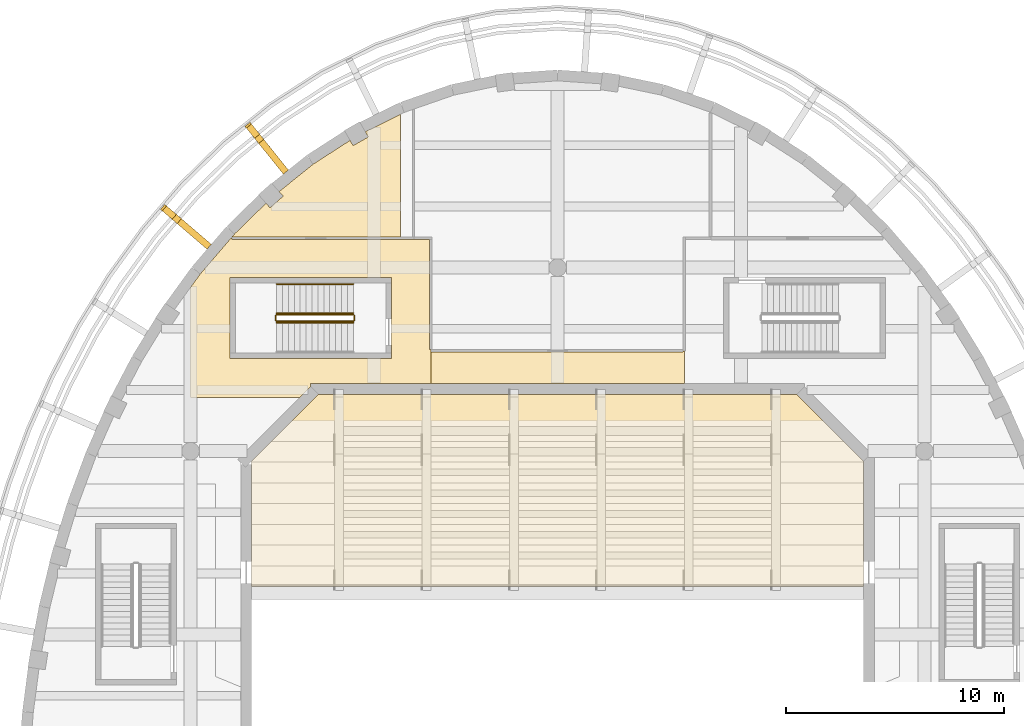
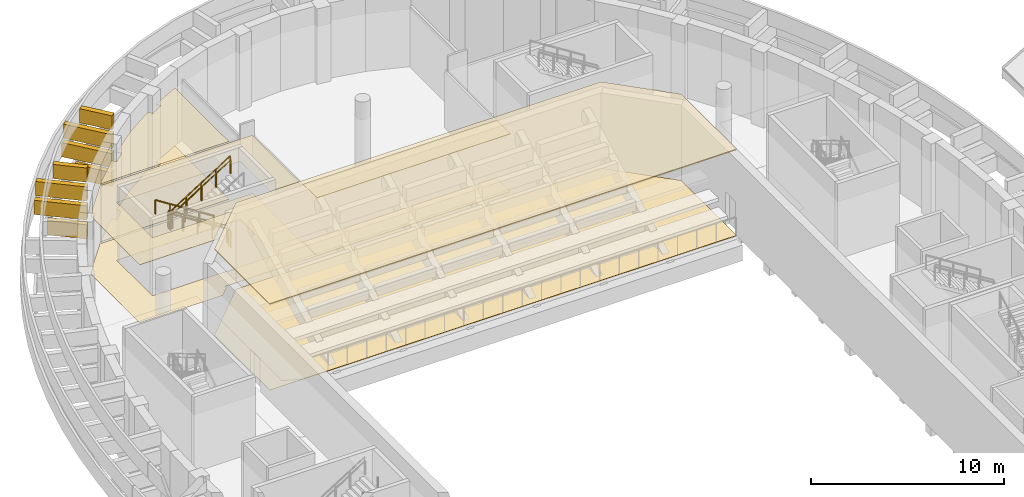
# One storey, part 35 of 37: 16 coverings, 7 railings.
"""IFC4 building model written with IfcOpenShell, lengths in metres."""

from ifc_helpers import new_model, si_unit, direction, frame, origin, origin_2d, place, context, subcontext, project, spatial, polyline, rectangle, circle, outline, extrude, material, layer, layer_set, type_object, element, save


model = new_model("IFC4")

# Units and contexts
model_context = context("Model", 3, precision=1e-05, world=origin(), true_north=direction((0.0, 1.0)))
body_context = subcontext(model_context, "Body", "Model", "MODEL_VIEW")
ifc_project = project(units=[si_unit("LENGTHUNIT", "METRE"), si_unit("AREAUNIT", "SQUARE_METRE"), si_unit("VOLUMEUNIT", "CUBIC_METRE"), si_unit("PLANEANGLEUNIT", "RADIAN"), si_unit("MASSUNIT", "GRAM", prefix="KILO")], contexts=[model_context])

# Site, building, storey
site_placement = place(None, origin())
site = spatial("IfcSite", under=ifc_project, at=site_placement, CompositionType="ELEMENT")
building_placement = place(site_placement, origin())
building = spatial("IfcBuilding", under=site, at=building_placement, Name="Larchfold Concert Hall", CompositionType="ELEMENT")
storey_placement = place(building_placement, frame((0.0, 0.0, 19.199951171875)))
storey = spatial("IfcBuildingStorey", under=building, at=storey_placement, Name="L04", CompositionType="ELEMENT", Elevation=19.199951171875)

# Coverings
ifc_material_1 = material(Name="Acoustic timber lining", Category="wood")
ifc_layer_1 = layer(ifc_material_1, 0.06005859375)
ifc_layer_set_1 = layer_set([ifc_layer_1], Name="Acoustic timber lining")
covering_type_1 = type_object("IfcCoveringType", Name="Ceiling acoustic timber lining 60", PredefinedType="CEILING", material=ifc_layer_set_1)
covering_1_placement = place(storey_placement, frame((0.0, 0.0, 5.43994140625)))
element("IfcCovering", 1, at=covering_1_placement, inside=storey, type_object=covering_type_1, Name="Ceiling Concert Hall Tier 3", PredefinedType="CEILING", context=body_context, shape_type="SweptSolid", body=[
    extrude(outline(polyline([(53.546630859375, 104.0), (31.653564453125, 104.0), (28.60009765625, 100.946533203125), (28.60009765625, 95.199951171875), (56.60009765625, 95.199951171875), (56.60009765625, 100.946533203125), (53.546630859375, 104.0)])), origin(), (0.0, 0.0, 1.0), 0.06005859375),
])
ifc_material_2 = material(Name="Mineral fibre ceiling tile")
ifc_layer_2 = layer(ifc_material_2, 0.02001953125)
ifc_layer_set_2 = layer_set([ifc_layer_2], Name="Mineral fibre ceiling tile")
covering_type_2 = type_object("IfcCoveringType", Name="Ceiling mineral fibre tile 20", PredefinedType="CEILING", material=ifc_layer_set_2)
covering_2_placement = place(storey_placement, frame((0.0, 0.0, 3.68017578125)))
element("IfcCovering", 2, at=covering_2_placement, inside=storey, type_object=covering_type_2, Name="Ceiling Corridor 01", PredefinedType="CEILING", context=body_context, shape_type="SweptSolid", body=[
    extrude(outline(polyline([(27.69091796875, 111.1494140625), (27.646484375, 111.1494140625), (26.246337890625, 109.514892578125), (25.80078125, 108.899658203125), (25.801025390625, 103.850830078125), (30.797119140625, 103.8505859375), (31.300048828125, 104.353515625), (31.300048828125, 104.5), (36.799072265625, 104.5), (36.799072265625, 106.06494140625), (36.736572265625, 106.06494140625), (36.736572265625, 111.08642578125), (36.02001953125, 111.08642578125), (36.01904296875, 111.149169921875), (36.01904296875, 111.08642578125), (27.69091796875, 111.08642578125), (27.69091796875, 111.1494140625)]), holes=[polyline([(35.0, 105.64990234375), (27.60009765625, 105.64990234375), (27.60009765625, 109.35009765625), (35.0, 109.35009765625), (35.0, 105.64990234375)])]), origin(), (0.0, 0.0, 1.0), 0.02001953125),
])
covering_3_placement = place(storey_placement, frame((0.0, 0.0, 3.68017578125)))
element("IfcCovering", 3, at=covering_3_placement, inside=storey, type_object=covering_type_2, Name="Ceiling Public Toilets", PredefinedType="CEILING", context=body_context, shape_type="SweptSolid", body=[
    extrude(outline(polyline([(27.8154296875, 111.3466796875), (27.699462890625, 111.21142578125), (35.39990234375, 111.21142578125), (35.39990234375, 116.8134765625), (33.796142578125, 116.022216796875), (33.9326171875, 115.7822265625), (33.237060546875, 115.386962890625), (33.10009765625, 115.628173828125), (31.41455078125, 114.541748046875), (29.850830078125, 113.282958984375), (30.036865234375, 113.07421875), (29.439453125, 112.542236328125), (29.252685546875, 112.751953125), (27.8154296875, 111.3466796875)])), origin(), (0.0, 0.0, 1.0), 0.02001953125),
])
ifc_material_3 = material(Name="Plasterboard ceiling lining")
ifc_layer_3 = layer(ifc_material_3, 0.030029296875)
ifc_layer_set_3 = layer_set([ifc_layer_3], Name="Plasterboard ceiling lining")
covering_type_3 = type_object("IfcCoveringType", Name="Ceiling suspended plasterboard 30", PredefinedType="CEILING", material=ifc_layer_set_3)
covering_4_placement = place(storey_placement, frame((0.0, 0.0, 3.670166015625)))
element("IfcCovering", 4, at=covering_4_placement, inside=storey, type_object=covering_type_3, Name="Ceiling Hall Foyer North", PredefinedType="CEILING", context=body_context, shape_type="SweptSolid", body=[
    extrude(outline(polyline([(48.33837890625, 106.0), (48.3349609375, 105.9375), (36.800048828125, 105.9375), (36.800048828125, 104.5), (48.39990234375, 104.5), (48.39990234375, 105.97998046875), (48.33837890625, 105.97998046875), (48.33837890625, 106.0)])), origin(), (0.0, 0.0, 1.0), 0.030029296875),
])
ifc_material_4 = material(Name="Ceramic tile")
ifc_layer_4 = layer(ifc_material_4, 0.030029296875)
ifc_layer_set_4 = layer_set([ifc_layer_4], Name="Ceramic tile")
covering_type_4 = type_object("IfcCoveringType", Name="Floor finish ceramic tile 30", PredefinedType="FLOORING", material=ifc_layer_set_4)
covering_5_placement = place(storey_placement, origin())
element("IfcCovering", 5, at=covering_5_placement, inside=storey, type_object=covering_type_4, Name="Floor finish Public Toilets", PredefinedType="FLOORING", context=body_context, shape_type="SweptSolid", body=[
    extrude(outline(polyline([(27.8154296875, 111.3466796875), (27.699462890625, 111.21142578125), (35.39990234375, 111.21142578125), (35.39990234375, 116.8134765625), (33.796142578125, 116.022216796875), (33.9326171875, 115.7822265625), (33.237060546875, 115.386962890625), (33.10009765625, 115.628173828125), (31.41455078125, 114.541748046875), (29.850830078125, 113.282958984375), (30.036865234375, 113.07421875), (29.439453125, 112.542236328125), (29.252685546875, 112.751953125), (27.8154296875, 111.3466796875)])), origin(), (0.0, 0.0, 1.0), 0.030029296875),
])
ifc_material_5 = material(Name="Polished terrazzo")
ifc_layer_5 = layer(ifc_material_5, 0.0400390625)
ifc_layer_set_5 = layer_set([ifc_layer_5], Name="Polished terrazzo")
covering_type_5 = type_object("IfcCoveringType", Name="Floor finish terrazzo 40", PredefinedType="FLOORING", material=ifc_layer_set_5)
covering_6_placement = place(storey_placement, origin())
element("IfcCovering", 6, at=covering_6_placement, inside=storey, type_object=covering_type_5, Name="Floor finish Hall Foyer North", PredefinedType="FLOORING", context=body_context, shape_type="SweptSolid", body=[
    extrude(outline(polyline([(48.33837890625, 106.0), (48.3349609375, 105.9375), (36.800048828125, 105.9375), (36.800048828125, 104.5), (48.39990234375, 104.5), (48.39990234375, 105.97998046875), (48.33837890625, 105.97998046875), (48.33837890625, 106.0)])), origin(), (0.0, 0.0, 1.0), 0.0400390625),
])
ifc_material_6 = material(Name="Oak boards on battens")
ifc_layer_6 = layer(ifc_material_6, 0.02490234375)
ifc_layer_set_6 = layer_set([ifc_layer_6], Name="Oak boards on battens")
covering_type_6 = type_object("IfcCoveringType", Name="Floor finish timber boards 25", PredefinedType="FLOORING", material=ifc_layer_set_6)
covering_7_placement = place(storey_placement, origin())
element("IfcCovering", 7, at=covering_7_placement, inside=storey, type_object=covering_type_6, Name="Floor finish Concert Hall Tier 3", PredefinedType="FLOORING", context=body_context, shape_type="SweptSolid", body=[
    extrude(outline(polyline([(53.546630859375, 104.0), (31.653564453125, 104.0), (28.60009765625, 100.946533203125), (28.60009765625, 95.199951171875), (56.60009765625, 95.199951171875), (56.60009765625, 100.946533203125), (53.546630859375, 104.0)])), origin(), (0.0, 0.0, 1.0), 0.02490234375),
])
ifc_material_7 = material(Name="Linoleum sheet")
ifc_layer_7 = layer(ifc_material_7, 0.02001953125)
ifc_layer_set_7 = layer_set([ifc_layer_7], Name="Linoleum sheet")
covering_type_7 = type_object("IfcCoveringType", Name="Floor finish vinyl 20", PredefinedType="FLOORING", material=ifc_layer_set_7)
covering_8_placement = place(storey_placement, origin())
element("IfcCovering", 8, at=covering_8_placement, inside=storey, type_object=covering_type_7, Name="Floor finish Corridor 01", PredefinedType="FLOORING", context=body_context, shape_type="SweptSolid", body=[
    extrude(outline(polyline([(27.69091796875, 111.1494140625), (27.646484375, 111.1494140625), (26.246337890625, 109.514892578125), (25.80078125, 108.899658203125), (25.801025390625, 103.850830078125), (30.797119140625, 103.8505859375), (31.300048828125, 104.353515625), (31.300048828125, 104.5), (36.799072265625, 104.5), (36.799072265625, 106.06494140625), (36.736572265625, 106.06494140625), (36.736572265625, 111.08642578125), (36.02001953125, 111.08642578125), (36.01904296875, 111.149169921875), (36.01904296875, 111.08642578125), (27.69091796875, 111.08642578125), (27.69091796875, 111.1494140625)]), holes=[polyline([(35.0, 105.64990234375), (27.60009765625, 105.64990234375), (27.60009765625, 109.35009765625), (35.0, 109.35009765625), (35.0, 105.64990234375)])]), origin(), (0.0, 0.0, 1.0), 0.02001953125),
])
ifc_material_8 = material(Name="Galvanised steel bracket", Category="steel")
ifc_layer_8 = layer(ifc_material_8, 0.300048828125)
ifc_layer_set_8 = layer_set([ifc_layer_8], Name="Galvanised steel bracket")
covering_type_8 = type_object("IfcCoveringType", Name="Ring support bracket", PredefinedType="CLADDING", material=ifc_layer_set_8)
for number, where, z_axis, x_axis, name in (
    (9, (29.505615234375, 114.994873046875, 0.9501953125), (0.0, 0.0, 1.0), (-0.626932967102, 0.77907320244, 0.0), "Ring bracket BR-R08-13"),
    (10, (25.854248046875, 111.439697265625, 0.9501953125), (0.0, 0.0, 1.0), (-0.759502249096, 0.650504676093, 0.0), "Ring bracket BR-R08-14"),
):
    element("IfcCovering", number, at=place(storey_placement, frame(where, z_axis=z_axis, x_axis=x_axis)), inside=storey, type_object=covering_type_8, Name=name, PredefinedType="CLADDING", context=body_context, shape_type="SweptSolid", body=[
        extrude(rectangle(XDim=2.10009765625, YDim=0.300048828125, at=origin_2d()), origin(), (0.0, 0.0, 1.0), 0.89990234375),
    ])
for number, where, z_axis, x_axis, name in (
    (11, (29.2861328125, 115.267578125, 2.150146484375), (0.0, 0.0, 1.0), (-0.626932967102, 0.77907320244, 0.0), "Ring bracket BR-R09-13"),
    (12, (25.58837890625, 111.66748046875, 2.150146484375), (0.0, 0.0, 1.0), (-0.759502249096, 0.650504676093, 0.0), "Ring bracket BR-R09-14"),
):
    element("IfcCovering", number, at=place(storey_placement, frame(where, z_axis=z_axis, x_axis=x_axis)), inside=storey, type_object=covering_type_8, Name=name, PredefinedType="CLADDING", context=body_context, shape_type="SweptSolid", body=[
        extrude(rectangle(XDim=2.800048828125, YDim=0.300048828125, at=origin_2d()), origin(), (0.0, 0.0, 1.0), 0.89990234375),
    ])
for number, where, z_axis, x_axis, name in (
    (13, (29.317626953125, 115.228515625, 3.35009765625), (0.0, 0.0, 1.0), (-0.626932967102, 0.77907320244, 0.0), "Ring bracket BR-R10-13"),
    (14, (25.62646484375, 111.635009765625, 3.35009765625), (0.0, 0.0, 1.0), (-0.759502249096, 0.650504676093, 0.0), "Ring bracket BR-R10-14"),
):
    element("IfcCovering", number, at=place(storey_placement, frame(where, z_axis=z_axis, x_axis=x_axis)), inside=storey, type_object=covering_type_8, Name=name, PredefinedType="CLADDING", context=body_context, shape_type="SweptSolid", body=[
        extrude(rectangle(XDim=2.699951171875, YDim=0.300048828125, at=origin_2d()), origin(), (0.0, 0.0, 1.0), 0.89990234375),
    ])
for number, where, z_axis, x_axis, name in (
    (15, (29.599609375, 114.8779296875, 4.550048828125), (0.0, 0.0, 1.0), (-0.626932967102, 0.77907320244, 0.0), "Ring bracket BR-R11-13"),
    (16, (25.96826171875, 111.34228515625, 4.550048828125), (0.0, 0.0, 1.0), (-0.759502249096, 0.650504676093, 0.0), "Ring bracket BR-R11-14"),
):
    element("IfcCovering", number, at=place(storey_placement, frame(where, z_axis=z_axis, x_axis=x_axis)), inside=storey, type_object=covering_type_8, Name=name, PredefinedType="CLADDING", context=body_context, shape_type="SweptSolid", body=[
        extrude(rectangle(XDim=1.800048828125, YDim=0.300048828125, at=origin_2d()), origin(), (0.0, 0.0, 1.0), 0.89990234375),
    ])

# Railings
ifc_material_9 = material(Name="Stainless steel balustrade", Category="steel")
railing_type_1 = type_object("IfcRailingType", Name="Stair guard 1100", PredefinedType="GUARDRAIL", material=ifc_material_9)
railing_1_placement = place(storey_placement, frame((33.25, 107.650146484375, 0.17138671875)))
element("IfcRailing", 17, at=railing_1_placement, inside=storey, type_object=railing_type_1, Name="Guard GR0011", PredefinedType="GUARDRAIL", context=body_context, shape_type="SweptSolid", body=[
    extrude(circle(Radius=0.02392578125, at=origin_2d()), frame((0.0, 0.0, 1.076171875), z_axis=(-0.844192992368, 0.0, 0.536039356425), x_axis=(0.0, -1.0, 0.0)), (0.0, 0.0, 1.0), 4.15771484375),
    extrude(circle(Radius=0.02099609375, at=origin_2d()), origin(), (0.0, 0.0, 1.0), 1.052001953125),
    extrude(circle(Radius=0.02099609375, at=origin_2d()), frame((-0.87744140625, 0.0, 0.55712890625)), (0.0, 0.0, 1.0), 1.052001953125),
    extrude(circle(Radius=0.02099609375, at=origin_2d()), frame((-1.7548828125, 0.0, 1.1142578125)), (0.0, 0.0, 1.0), 1.052001953125),
    extrude(circle(Radius=0.02099609375, at=origin_2d()), frame((-2.632568359375, 0.0, 1.671630859375)), (0.0, 0.0, 1.0), 1.052001953125),
    extrude(circle(Radius=0.02099609375, at=origin_2d()), frame((-3.510009765625, 0.0, 2.228759765625)), (0.0, 0.0, 1.0), 1.052001953125),
])
railing_2_placement = place(storey_placement, frame((29.68994140625, 107.60009765625, 2.400146484375)))
element("IfcRailing", 18, at=railing_2_placement, inside=storey, type_object=railing_type_1, Name="Guard GR0012", PredefinedType="GUARDRAIL", context=body_context, shape_type="SweptSolid", body=[
    extrude(circle(Radius=0.02392578125, at=origin_2d()), frame((0.0, 0.0, 1.076171875), z_axis=(0.0, -1.0, 0.0), x_axis=(1.0, 0.0, 0.0)), (0.0, 0.0, 1.0), 0.199951171875),
    extrude(circle(Radius=0.02099609375, at=origin_2d()), origin(), (0.0, 0.0, 1.0), 1.052001953125),
    extrude(circle(Radius=0.02099609375, at=origin_2d()), frame((0.0, -0.199951171875, 0.0)), (0.0, 0.0, 1.0), 1.052001953125),
])
railing_3_placement = place(storey_placement, frame((29.739990234375, 107.35009765625, 2.571533203125)))
element("IfcRailing", 19, at=railing_3_placement, inside=storey, type_object=railing_type_1, Name="Guard GR0013", PredefinedType="GUARDRAIL", context=body_context, shape_type="SweptSolid", body=[
    extrude(circle(Radius=0.02392578125, at=origin_2d()), frame((0.0, 0.0, 1.076171875), z_axis=(0.844219563411, 0.0, 0.53599750816), x_axis=(0.0, 1.0, 0.0)), (0.0, 0.0, 1.0), 4.15771484375),
    extrude(circle(Radius=0.02099609375, at=origin_2d()), origin(), (0.0, 0.0, 1.0), 1.052001953125),
    extrude(circle(Radius=0.02099609375, at=origin_2d()), frame((0.87744140625, 0.0, 0.55712890625)), (0.0, 0.0, 1.0), 1.052001953125),
    extrude(circle(Radius=0.02099609375, at=origin_2d()), frame((1.7548828125, 0.0, 1.1142578125)), (0.0, 0.0, 1.0), 1.052001953125),
    extrude(circle(Radius=0.02099609375, at=origin_2d()), frame((2.632568359375, 0.0, 1.67138671875)), (0.0, 0.0, 1.0), 1.052001953125),
    extrude(circle(Radius=0.02099609375, at=origin_2d()), frame((3.510009765625, 0.0, 2.228515625)), (0.0, 0.0, 1.0), 1.052001953125),
])
railing_4_placement = place(storey_placement, frame((33.300048828125, 107.60009765625, 0.0)))
element("IfcRailing", 20, at=railing_4_placement, inside=storey, type_object=railing_type_1, Name="Guard GR0014", PredefinedType="GUARDRAIL", context=body_context, shape_type="SweptSolid", body=[
    extrude(circle(Radius=0.02392578125, at=origin_2d()), frame((0.0, 0.0, 1.076171875), z_axis=(0.0, -1.0, 0.0), x_axis=(1.0, 0.0, 0.0)), (0.0, 0.0, 1.0), 0.199951171875),
    extrude(circle(Radius=0.02099609375, at=origin_2d()), origin(), (0.0, 0.0, 1.0), 1.052001953125),
    extrude(circle(Radius=0.02099609375, at=origin_2d()), frame((0.0, -0.199951171875, 0.0)), (0.0, 0.0, 1.0), 1.052001953125),
])
ifc_material_10 = material(Name="Stainless steel handrail", Category="steel")
railing_type_2 = type_object("IfcRailingType", Name="Stair handrail 900", PredefinedType="HANDRAIL", material=ifc_material_10)
for number, where, name in (
    (21, (33.25, 109.050048828125, 0.17138671875), "Handrail HR0009"),
    (22, (33.25, 107.72021484375, 0.17138671875), "Handrail HR0011"),
):
    element("IfcRailing", number, at=place(storey_placement, frame(where)), inside=storey, type_object=railing_type_2, Name=name, PredefinedType="HANDRAIL", context=body_context, shape_type="SweptSolid", body=[
        extrude(circle(Radius=0.02392578125, at=origin_2d()), frame((0.0, 0.0, 0.8759765625), z_axis=(-0.844192992368, 0.0, 0.536039356425), x_axis=(0.0, -1.0, 0.0)), (0.0, 0.0, 1.0), 4.15771484375),
        extrude(circle(Radius=0.02099609375, at=origin_2d()), origin(), (0.0, 0.0, 1.0), 0.851806640625),
        extrude(circle(Radius=0.02099609375, at=origin_2d()), frame((-0.87744140625, 0.0, 0.55712890625)), (0.0, 0.0, 1.0), 0.851806640625),
        extrude(circle(Radius=0.02099609375, at=origin_2d()), frame((-1.7548828125, 0.0, 1.1142578125)), (0.0, 0.0, 1.0), 0.851806640625),
        extrude(circle(Radius=0.02099609375, at=origin_2d()), frame((-2.632568359375, 0.0, 1.671630859375)), (0.0, 0.0, 1.0), 0.851806640625),
        extrude(circle(Radius=0.02099609375, at=origin_2d()), frame((-3.510009765625, 0.0, 2.228759765625)), (0.0, 0.0, 1.0), 0.851806640625),
    ])
railing_5_placement = place(storey_placement, frame((29.739990234375, 107.280029296875, 2.571533203125)))
element("IfcRailing", 23, at=railing_5_placement, inside=storey, type_object=railing_type_2, Name="Handrail HR0012", PredefinedType="HANDRAIL", context=body_context, shape_type="SweptSolid", body=[
    extrude(circle(Radius=0.02392578125, at=origin_2d()), frame((0.0, 0.0, 0.8759765625), z_axis=(0.844219563411, 0.0, 0.53599750816), x_axis=(0.0, 1.0, 0.0)), (0.0, 0.0, 1.0), 4.15771484375),
    extrude(circle(Radius=0.02099609375, at=origin_2d()), origin(), (0.0, 0.0, 1.0), 0.851806640625),
    extrude(circle(Radius=0.02099609375, at=origin_2d()), frame((0.87744140625, 0.0, 0.55712890625)), (0.0, 0.0, 1.0), 0.851806640625),
    extrude(circle(Radius=0.02099609375, at=origin_2d()), frame((1.7548828125, 0.0, 1.1142578125)), (0.0, 0.0, 1.0), 0.851806640625),
    extrude(circle(Radius=0.02099609375, at=origin_2d()), frame((2.632568359375, 0.0, 1.67138671875)), (0.0, 0.0, 1.0), 0.851806640625),
    extrude(circle(Radius=0.02099609375, at=origin_2d()), frame((3.510009765625, 0.0, 2.228515625)), (0.0, 0.0, 1.0), 0.851806640625),
])

save(model, "model.ifc")
